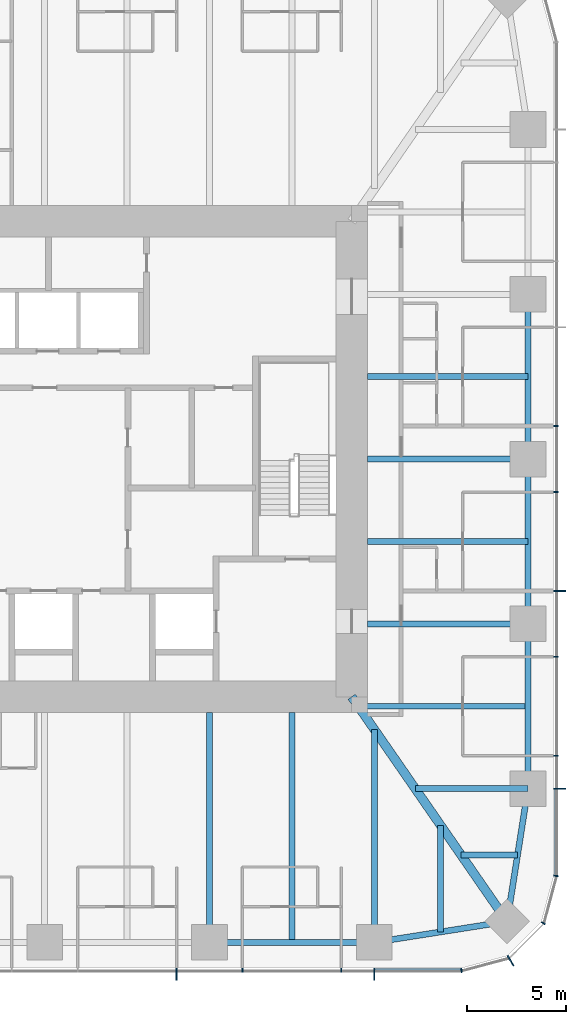
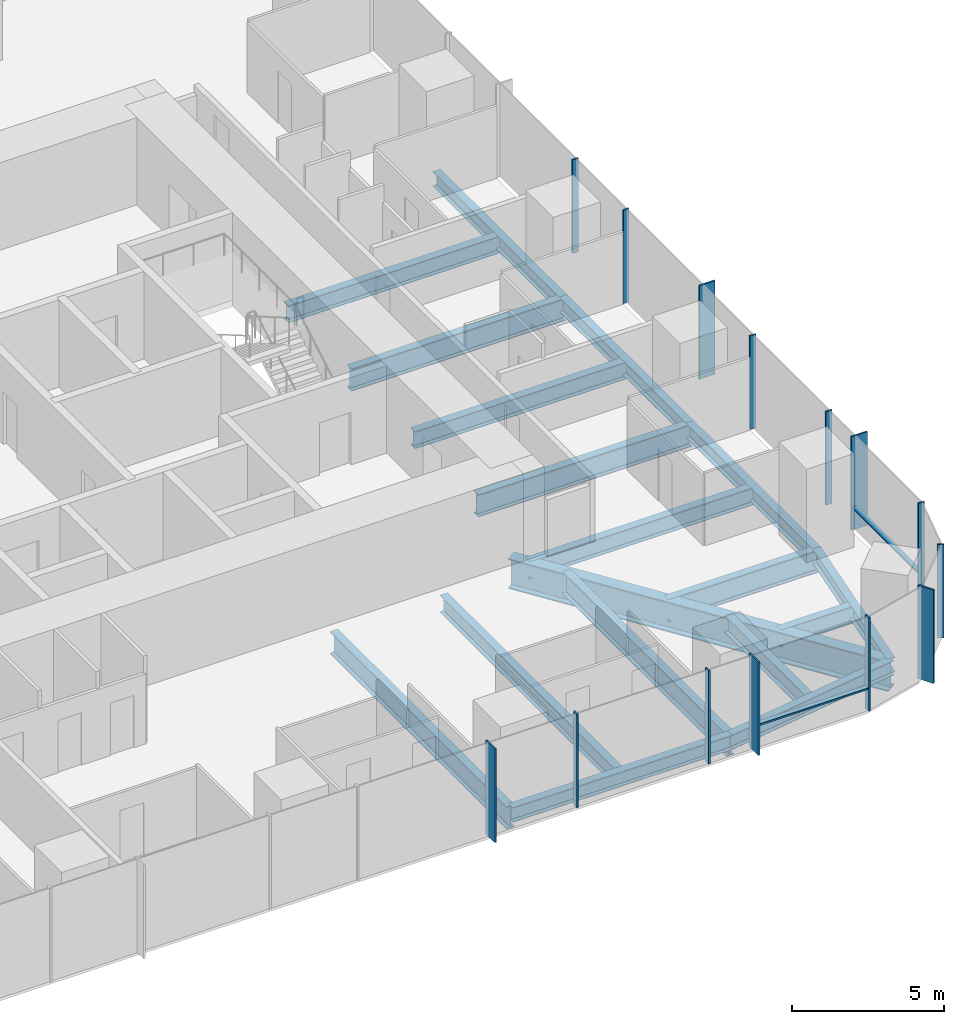
# One storey, part 4 of 13: 18 beams, 16 members, 3 elements without a shape of their own.
"""IFC4 building model written with IfcOpenShell, lengths in metres."""

from ifc_helpers import new_model, si_unit, direction, frame, origin, origin_2d, place, context, subcontext, project, spatial, rectangle, i_section, extrude, material, material_profile, profile_set, type_object, element, aggregate, save


model = new_model("IFC4")

# Units and contexts
model_context = context("Model", 3, precision=1e-05, world=origin(), true_north=direction((0.0, 1.0)))
body_context = subcontext(model_context, "Body", "Model", "MODEL_VIEW")
ifc_project = project(units=[si_unit("LENGTHUNIT", "METRE"), si_unit("AREAUNIT", "SQUARE_METRE"), si_unit("VOLUMEUNIT", "CUBIC_METRE"), si_unit("PLANEANGLEUNIT", "RADIAN"), si_unit("MASSUNIT", "GRAM", prefix="KILO")], contexts=[model_context])

# Site, building, storey
site_placement = place(None, origin())
site = spatial("IfcSite", under=ifc_project, at=site_placement, CompositionType="ELEMENT")
building_placement = place(site_placement, origin())
building = spatial("IfcBuilding", under=site, at=building_placement, Name="Khuree Lantern Residences", CompositionType="ELEMENT")
storey_placement = place(building_placement, frame((0.0, 0.0, 259.5)))
storey = spatial("IfcBuildingStorey", under=building, at=storey_placement, Name="L65", CompositionType="ELEMENT", Elevation=259.5)

# Beams
ifc_material_1 = material(Name="Steel S355", Category="steel")
ifc_material_profile_1 = material_profile(ifc_material_1, i_section(OverallWidth=0.300048828125, OverallDepth=0.68994140625, WebThickness=0.014404296875, FlangeThickness=0.027099609375, FilletRadius=0.027099609375, at=origin_2d()), Name="HE 700 A")
ifc_profile_set_1 = profile_set([ifc_material_profile_1], Name="Steel S355")
beam_type_1 = type_object("IfcBeamType", Name="B-34 SECONDARY BEAM HE 700 A", PredefinedType="BEAM", material=ifc_profile_set_1)
for number, where, z_axis, x_axis, name in (
    (1, (24.39990234375, 4.159912109375, -0.594970703125), (-1.0, 0.0, 0.0), (0.0, -1.0, 0.0), "Secondary beam E3"),
    (2, (24.39990234375, -4.159912109375, -0.594970703125), (-1.0, 0.0, 0.0), (0.0, -1.0, 0.0), "Secondary beam E4"),
):
    element("IfcBeam", number, at=place(storey_placement, frame(where, z_axis=z_axis, x_axis=x_axis)), inside=storey, type_object=beam_type_1, Name=name, PredefinedType="BEAM", context=body_context, shape_type="SweptSolid", body=[
        extrude(i_section(OverallWidth=0.300048828125, OverallDepth=0.68994140625, WebThickness=0.014404296875, FlangeThickness=0.027099609375, FilletRadius=0.027099609375, at=origin_2d()), origin(), (0.0, 0.0, 1.0), 8.099853515625),
    ])
beam_1_placement = place(storey_placement, frame((24.39990234375, -12.47998046875, -0.594970703125), z_axis=(-1.0, 0.0, 0.0), x_axis=(0.0, -1.0, 0.0)))
element("IfcBeam", 3, at=beam_1_placement, inside=storey, type_object=beam_type_1, Name="Secondary beam E5", PredefinedType="BEAM", context=body_context, shape_type="SweptSolid", body=[
    extrude(i_section(OverallWidth=0.300048828125, OverallDepth=0.68994140625, WebThickness=0.014404296875, FlangeThickness=0.027099609375, FilletRadius=0.027099609375, at=origin_2d()), origin(), (0.0, 0.0, 1.0), 8.56787109375),
])
beam_2_placement = place(storey_placement, frame((23.872802734375, -19.992919921875, -0.594970703125), z_axis=(-1.0, 0.0, 0.0), x_axis=(0.0, -1.0, 0.0)))
element("IfcBeam", 4, at=beam_2_placement, inside=storey, type_object=beam_type_1, Name="Secondary beam E6", PredefinedType="BEAM", context=body_context, shape_type="SweptSolid", body=[
    extrude(i_section(OverallWidth=0.300048828125, OverallDepth=0.68994140625, WebThickness=0.014404296875, FlangeThickness=0.027099609375, FilletRadius=0.027099609375, at=origin_2d()), origin(), (0.0, 0.0, 1.0), 2.845703125),
])
beam_3_placement = place(storey_placement, frame((19.992919921875, -23.872802734375, -0.594970703125), z_axis=(0.0, 1.0, 0.0), x_axis=(-1.0, 0.0, 0.0)))
element("IfcBeam", 5, at=beam_3_placement, inside=storey, type_object=beam_type_1, Name="Secondary beam S1", PredefinedType="BEAM", context=body_context, shape_type="SweptSolid", body=[
    extrude(i_section(OverallWidth=0.300048828125, OverallDepth=0.68994140625, WebThickness=0.014404296875, FlangeThickness=0.027099609375, FilletRadius=0.027099609375, at=origin_2d()), origin(), (0.0, 0.0, 1.0), 5.375732421875),
])
beam_4_placement = place(storey_placement, frame((12.47998046875, -24.39990234375, -0.594970703125), z_axis=(0.0, 1.0, 0.0), x_axis=(-1.0, 0.0, 0.0)))
element("IfcBeam", 6, at=beam_4_placement, inside=storey, type_object=beam_type_1, Name="Secondary beam S2", PredefinedType="BEAM", context=body_context, shape_type="SweptSolid", body=[
    extrude(i_section(OverallWidth=0.300048828125, OverallDepth=0.68994140625, WebThickness=0.014404296875, FlangeThickness=0.027099609375, FilletRadius=0.027099609375, at=origin_2d()), origin(), (0.0, 0.0, 1.0), 11.599853515625),
])
ifc_material_profile_2 = material_profile(ifc_material_1, i_section(OverallWidth=0.300048828125, OverallDepth=0.590087890625, WebThickness=0.012939453125, FlangeThickness=0.02490234375, FilletRadius=0.027099609375, at=origin_2d()), Name="HE 600 A")
ifc_profile_set_2 = profile_set([ifc_material_profile_2], Name="Steel S355")
beam_type_2 = type_object("IfcBeamType", Name="E-34 SPANDREL BEAM HE 600 A", PredefinedType="SPANDREL", material=ifc_profile_set_2)
for number, where, z_axis, x_axis, name in (
    (7, (24.39990234375, 8.320068359375, -0.544921875), (0.0, -1.0, 0.0), (1.0, 0.0, 0.0), "Spandrel beam E3"),
    (8, (24.39990234375, 0.0, -0.544921875), (0.0, -1.0, 0.0), (1.0, 0.0, 0.0), "Spandrel beam E4"),
):
    element("IfcBeam", number, at=place(storey_placement, frame(where, z_axis=z_axis, x_axis=x_axis)), inside=storey, type_object=beam_type_2, Name=name, PredefinedType="SPANDREL", context=body_context, shape_type="SweptSolid", body=[
        extrude(i_section(OverallWidth=0.300048828125, OverallDepth=0.590087890625, WebThickness=0.012939453125, FlangeThickness=0.02490234375, FilletRadius=0.027099609375, at=origin_2d()), origin(), (0.0, 0.0, 1.0), 8.320068359375),
    ])
beam_5_placement = place(storey_placement, frame((24.39990234375, -8.320068359375, -0.544921875), z_axis=(0.0, -1.0, 0.0), x_axis=(1.0, 0.0, 0.0)))
element("IfcBeam", 9, at=beam_5_placement, inside=storey, type_object=beam_type_2, Name="Spandrel beam E5", PredefinedType="SPANDREL", context=body_context, shape_type="SweptSolid", body=[
    extrude(i_section(OverallWidth=0.300048828125, OverallDepth=0.590087890625, WebThickness=0.012939453125, FlangeThickness=0.02490234375, FilletRadius=0.027099609375, at=origin_2d()), origin(), (0.0, 0.0, 1.0), 8.31982421875),
])
for number, where, z_axis, x_axis, name in (
    (10, (24.39990234375, -16.639892578125, -0.544921875), (-0.155299507442, -0.98786743189, 0.0), (0.98786743189, -0.155299507442, 0.0), "Spandrel beam E6"),
    (11, (23.345703125, -23.345703125, -0.544921875), (-0.98786743189, -0.155299507442, 0.0), (0.155299507442, -0.98786743189, 0.0), "Spandrel beam S1"),
):
    element("IfcBeam", number, at=place(storey_placement, frame(where, z_axis=z_axis, x_axis=x_axis)), inside=storey, type_object=beam_type_2, Name=name, PredefinedType="SPANDREL", context=body_context, shape_type="SweptSolid", body=[
        extrude(i_section(OverallWidth=0.300048828125, OverallDepth=0.590087890625, WebThickness=0.012939453125, FlangeThickness=0.02490234375, FilletRadius=0.027099609375, at=origin_2d()), origin(), (0.0, 0.0, 1.0), 6.7880859375),
    ])
beam_6_placement = place(storey_placement, frame((16.639892578125, -24.39990234375, -0.544921875), z_axis=(-1.0, 0.0, 0.0), x_axis=(0.0, -1.0, 0.0)))
element("IfcBeam", 12, at=beam_6_placement, inside=storey, type_object=beam_type_2, Name="Spandrel beam S2", PredefinedType="SPANDREL", context=body_context, shape_type="SweptSolid", body=[
    extrude(i_section(OverallWidth=0.300048828125, OverallDepth=0.590087890625, WebThickness=0.012939453125, FlangeThickness=0.02490234375, FilletRadius=0.027099609375, at=origin_2d()), origin(), (0.0, 0.0, 1.0), 8.31982421875),
])

# Curtain wall, member
ifc_material_2 = material(Name="Bronze anodised aluminium", Category="aluminium")
curtain_wall_type_1 = type_object("IfcCurtainWallType", Name="CW-T2 TOWER CORNER CURTAIN WALL", PredefinedType="USERDEFINED", material=ifc_material_2)
curtain_wall_1_placement = place(storey_placement, origin())
curtain_wall_1 = element("IfcCurtainWall", 13, at=curtain_wall_1_placement, inside=storey, type_object=curtain_wall_type_1, Name="L65 SOUTH-EAST CORNER CURTAIN WALL", ObjectType="Faceted corner curtain wall", PredefinedType="USERDEFINED")
ifc_material_profile_3 = material_profile(ifc_material_2, rectangle(XDim=0.06494140625, YDim=0.60009765625, at=origin_2d()), Name="F1 65X600")
ifc_profile_set_3 = profile_set([ifc_material_profile_3], Name="Bronze anodised aluminium")
member_type_1 = type_object("IfcMemberType", Name="F1 BRONZE FIN MULLION TOWER 65X600", PredefinedType="MULLION", material=ifc_profile_set_3)
member_1_placement = place(storey_placement, frame((23.52490234375, -25.3369140625, 0.0), z_axis=(0.0, 0.0, 1.0), x_axis=(0.866025409797, 0.499999989586, 0.0)))
member_1 = element("IfcMember", 14, at=member_1_placement, type_object=member_type_1, Name="L65 SOUTH-EAST CORNER FIN MULLION 2", PredefinedType="MULLION", context=body_context, shape_type="SweptSolid", body=[
    extrude(rectangle(XDim=0.06494140625, YDim=0.60009765625, at=origin_2d()), origin(), (0.0, 0.0, 1.0), 3.75),
])

# Curtain wall, members
curtain_wall_type_2 = type_object("IfcCurtainWallType", Name="CW-T1 TOWER FACE CURTAIN WALL", PredefinedType="USERDEFINED", material=ifc_material_2)
curtain_wall_2_placement = place(storey_placement, origin())
curtain_wall_2 = element("IfcCurtainWall", 15, at=curtain_wall_2_placement, inside=storey, type_object=curtain_wall_type_2, Name="L65 EAST FACE CURTAIN WALL", ObjectType="Stick-built curtain wall", PredefinedType="USERDEFINED")
member_2_placement = place(storey_placement, frame((26.0, -16.639892578125, 0.0), z_axis=(0.0, 0.0, 1.0), x_axis=(0.0, 1.0, 0.0)))
member_2 = element("IfcMember", 16, at=member_2_placement, type_object=member_type_1, Name="L65 EAST FACE FIN MULLION 5", PredefinedType="MULLION", context=body_context, shape_type="SweptSolid", body=[
    extrude(rectangle(XDim=0.06494140625, YDim=0.60009765625, at=origin_2d()), origin(), (0.0, 0.0, 1.0), 3.75),
])
member_3_placement = place(storey_placement, frame((26.0, -6.656005859375, 0.0), z_axis=(0.0, 0.0, 1.0), x_axis=(0.0, 1.0, 0.0)))
member_3 = element("IfcMember", 17, at=member_3_placement, type_object=member_type_1, Name="L65 EAST FACE FIN MULLION 8", PredefinedType="MULLION", context=body_context, shape_type="SweptSolid", body=[
    extrude(rectangle(XDim=0.06494140625, YDim=0.60009765625, at=origin_2d()), origin(), (0.0, 0.0, 1.0), 3.75),
])

curtain_wall_3_placement = place(storey_placement, origin())
curtain_wall_3 = element("IfcCurtainWall", 18, at=curtain_wall_3_placement, inside=storey, type_object=curtain_wall_type_2, Name="L65 SOUTH FACE CURTAIN WALL", ObjectType="Stick-built curtain wall", PredefinedType="USERDEFINED")
member_4_placement = place(storey_placement, frame((6.656005859375, -26.0, 0.0), z_axis=(0.0, 0.0, 1.0), x_axis=(1.0, 0.0, 0.0)))
member_4 = element("IfcMember", 19, at=member_4_placement, type_object=member_type_1, Name="L65 SOUTH FACE FIN MULLION 53", PredefinedType="MULLION", context=body_context, shape_type="SweptSolid", body=[
    extrude(rectangle(XDim=0.06494140625, YDim=0.60009765625, at=origin_2d()), origin(), (0.0, 0.0, 1.0), 3.75),
])
member_5_placement = place(storey_placement, frame((16.639892578125, -26.0, 0.0), z_axis=(0.0, 0.0, 1.0), x_axis=(1.0, 0.0, 0.0)))
member_5 = element("IfcMember", 20, at=member_5_placement, type_object=member_type_1, Name="L65 SOUTH FACE FIN MULLION 56", PredefinedType="MULLION", context=body_context, shape_type="SweptSolid", body=[
    extrude(rectangle(XDim=0.06494140625, YDim=0.60009765625, at=origin_2d()), origin(), (0.0, 0.0, 1.0), 3.75),
])

# Beams
ifc_material_profile_4 = material_profile(ifc_material_1, i_section(OverallWidth=0.300048828125, OverallDepth=0.89990234375, WebThickness=0.0185546875, FlangeThickness=0.034912109375, FilletRadius=0.030029296875, at=origin_2d()), Name="HE 900 B")
ifc_profile_set_4 = profile_set([ifc_material_profile_4], Name="Steel S355")
beam_type_3 = type_object("IfcBeamType", Name="G-34 GIRDER HE 900 B", PredefinedType="BEAM", material=ifc_profile_set_4)
for number, where, z_axis, x_axis, name in (
    (21, (24.39990234375, 0.0, -0.699951171875), (-1.0, 0.0, 0.0), (0.0, -1.0, 0.0), "Girder E3"),
    (22, (24.39990234375, -8.320068359375, -0.699951171875), (-1.0, 0.0, 0.0), (0.0, -1.0, 0.0), "Girder E4"),
):
    element("IfcBeam", number, at=place(storey_placement, frame(where, z_axis=z_axis, x_axis=x_axis)), inside=storey, type_object=beam_type_3, Name=name, PredefinedType="BEAM", context=body_context, shape_type="SweptSolid", body=[
        extrude(i_section(OverallWidth=0.300048828125, OverallDepth=0.89990234375, WebThickness=0.0185546875, FlangeThickness=0.034912109375, FilletRadius=0.030029296875, at=origin_2d()), origin(), (0.0, 0.0, 1.0), 8.099853515625),
    ])
beam_7_placement = place(storey_placement, frame((24.39990234375, -16.639892578125, -0.699951171875), z_axis=(-1.0, 0.0, 0.0), x_axis=(0.0, -1.0, 0.0)))
element("IfcBeam", 23, at=beam_7_placement, inside=storey, type_object=beam_type_3, Name="Girder E5", PredefinedType="BEAM", context=body_context, shape_type="SweptSolid", body=[
    extrude(i_section(OverallWidth=0.300048828125, OverallDepth=0.89990234375, WebThickness=0.0185546875, FlangeThickness=0.034912109375, FilletRadius=0.030029296875, at=origin_2d()), origin(), (0.0, 0.0, 1.0), 5.69140625),
])
beam_8_placement = place(storey_placement, frame((16.639892578125, -24.39990234375, -0.699951171875), z_axis=(0.0, 1.0, 0.0), x_axis=(-1.0, 0.0, 0.0)))
element("IfcBeam", 24, at=beam_8_placement, inside=storey, type_object=beam_type_3, Name="Girder S1", PredefinedType="BEAM", context=body_context, shape_type="SweptSolid", body=[
    extrude(i_section(OverallWidth=0.300048828125, OverallDepth=0.89990234375, WebThickness=0.0185546875, FlangeThickness=0.034912109375, FilletRadius=0.030029296875, at=origin_2d()), origin(), (0.0, 0.0, 1.0), 10.751220703125),
])
beam_9_placement = place(storey_placement, frame((8.320068359375, -24.39990234375, -0.699951171875), z_axis=(0.0, 1.0, 0.0), x_axis=(-1.0, 0.0, 0.0)))
element("IfcBeam", 25, at=beam_9_placement, inside=storey, type_object=beam_type_3, Name="Girder S2", PredefinedType="BEAM", context=body_context, shape_type="SweptSolid", body=[
    extrude(i_section(OverallWidth=0.300048828125, OverallDepth=0.89990234375, WebThickness=0.0185546875, FlangeThickness=0.034912109375, FilletRadius=0.030029296875, at=origin_2d()), origin(), (0.0, 0.0, 1.0), 11.599853515625),
])
ifc_material_profile_5 = material_profile(ifc_material_1, i_section(OverallWidth=0.449951171875, OverallDepth=1.199951171875, WebThickness=0.02490234375, FlangeThickness=0.044921875, at=origin_2d()), Name="WELDED I 1200X450X25X45")
ifc_profile_set_5 = profile_set([ifc_material_profile_5], Name="Steel S355")
beam_type_4 = type_object("IfcBeamType", Name="GD-34 CORNER GIRDER WELDED I 1200X450X25X45", PredefinedType="BEAM", material=ifc_profile_set_5)
beam_10_placement = place(storey_placement, frame((23.345703125, -23.345703125, -0.85009765625), z_axis=(-0.56876813501, 0.822497907959, 0.0), x_axis=(-0.822497907959, -0.56876813501, 0.0)))
element("IfcBeam", 26, at=beam_10_placement, inside=storey, type_object=beam_type_4, Name="Corner girder SE", PredefinedType="BEAM", context=body_context, shape_type="SweptSolid", body=[
    extrude(i_section(OverallWidth=0.449951171875, OverallDepth=1.199951171875, WebThickness=0.02490234375, FlangeThickness=0.044921875, at=origin_2d()), origin(), (0.0, 0.0, 1.0), 13.794189453125),
])

# Member
ifc_material_profile_6 = material_profile(ifc_material_2, rectangle(XDim=0.06494140625, YDim=0.219970703125, at=origin_2d()), Name="M1 65X220")
ifc_profile_set_6 = profile_set([ifc_material_profile_6], Name="Bronze anodised aluminium")
member_type_2 = type_object("IfcMemberType", Name="M1 BRONZE MULLION TOWER 65X220", PredefinedType="MULLION", material=ifc_profile_set_6)
member_6_placement = place(storey_placement, frame((21.044921875, -25.811767578125, 0.0), z_axis=(0.0, 0.0, 1.0), x_axis=(0.991444862943, 0.130526180298, 0.0)))
member_6 = element("IfcMember", 27, at=member_6_placement, type_object=member_type_2, Name="L65 SOUTH-EAST CORNER MULLION 1", PredefinedType="MULLION", context=body_context, shape_type="SweptSolid", body=[
    extrude(rectangle(XDim=0.06494140625, YDim=0.219970703125, at=origin_2d()), origin(), (0.0, 0.0, 1.0), 3.75),
])

member_7_placement = place(storey_placement, frame((25.17236328125, -23.429931640625, 0.0), z_axis=(0.0, 0.0, 1.0), x_axis=(0.499999989586, 0.866025409797, 0.0)))
member_7 = element("IfcMember", 28, at=member_7_placement, type_object=member_type_2, Name="L65 SOUTH-EAST CORNER MULLION 3", PredefinedType="MULLION", context=body_context, shape_type="SweptSolid", body=[
    extrude(rectangle(XDim=0.06494140625, YDim=0.219970703125, at=origin_2d()), origin(), (0.0, 0.0, 1.0), 3.75),
])

aggregate(curtain_wall_1, [member_6, member_1, member_7])

member_8_placement = place(storey_placement, frame((25.811767578125, -21.044921875, 0.0), z_axis=(0.0, 0.0, 1.0), x_axis=(0.130526180298, 0.991444862943, 0.0)))
member_8 = element("IfcMember", 29, at=member_8_placement, type_object=member_type_2, Name="L65 EAST FACE MULLION 4", PredefinedType="MULLION", context=body_context, shape_type="SweptSolid", body=[
    extrude(rectangle(XDim=0.06494140625, YDim=0.219970703125, at=origin_2d()), origin(), (0.0, 0.0, 1.0), 3.75),
])

member_9_placement = place(storey_placement, frame((25.81005859375, -14.97607421875, 0.0), z_axis=(0.0, 0.0, 1.0), x_axis=(0.0, 1.0, 0.0)))
member_9 = element("IfcMember", 30, at=member_9_placement, type_object=member_type_2, Name="L65 EAST FACE MULLION 6", PredefinedType="MULLION", context=body_context, shape_type="SweptSolid", body=[
    extrude(rectangle(XDim=0.06494140625, YDim=0.219970703125, at=origin_2d()), origin(), (0.0, 0.0, 1.0), 3.75),
])

member_10_placement = place(storey_placement, frame((25.81005859375, -9.98388671875, 0.0), z_axis=(0.0, 0.0, 1.0), x_axis=(0.0, 1.0, 0.0)))
member_10 = element("IfcMember", 31, at=member_10_placement, type_object=member_type_2, Name="L65 EAST FACE MULLION 7", PredefinedType="MULLION", context=body_context, shape_type="SweptSolid", body=[
    extrude(rectangle(XDim=0.06494140625, YDim=0.219970703125, at=origin_2d()), origin(), (0.0, 0.0, 1.0), 3.75),
])

member_11_placement = place(storey_placement, frame((25.81005859375, -1.6640625, 0.0), z_axis=(0.0, 0.0, 1.0), x_axis=(0.0, 1.0, 0.0)))
member_11 = element("IfcMember", 32, at=member_11_placement, type_object=member_type_2, Name="L65 EAST FACE MULLION 9", PredefinedType="MULLION", context=body_context, shape_type="SweptSolid", body=[
    extrude(rectangle(XDim=0.06494140625, YDim=0.219970703125, at=origin_2d()), origin(), (0.0, 0.0, 1.0), 3.75),
])

member_12_placement = place(storey_placement, frame((25.81005859375, 1.6640625, 0.0), z_axis=(0.0, 0.0, 1.0), x_axis=(0.0, 1.0, 0.0)))
member_12 = element("IfcMember", 33, at=member_12_placement, type_object=member_type_2, Name="L65 EAST FACE MULLION 10", PredefinedType="MULLION", context=body_context, shape_type="SweptSolid", body=[
    extrude(rectangle(XDim=0.06494140625, YDim=0.219970703125, at=origin_2d()), origin(), (0.0, 0.0, 1.0), 3.75),
])

member_13_placement = place(storey_placement, frame((9.98388671875, -25.81005859375, 0.0), z_axis=(0.0, 0.0, 1.0), x_axis=(1.0, 0.0, 0.0)))
member_13 = element("IfcMember", 34, at=member_13_placement, type_object=member_type_2, Name="L65 SOUTH FACE MULLION 54", PredefinedType="MULLION", context=body_context, shape_type="SweptSolid", body=[
    extrude(rectangle(XDim=0.06494140625, YDim=0.219970703125, at=origin_2d()), origin(), (0.0, 0.0, 1.0), 3.75),
])

member_14_placement = place(storey_placement, frame((14.97607421875, -25.81005859375, 0.0), z_axis=(0.0, 0.0, 1.0), x_axis=(1.0, 0.0, 0.0)))
member_14 = element("IfcMember", 35, at=member_14_placement, type_object=member_type_2, Name="L65 SOUTH FACE MULLION 55", PredefinedType="MULLION", context=body_context, shape_type="SweptSolid", body=[
    extrude(rectangle(XDim=0.06494140625, YDim=0.219970703125, at=origin_2d()), origin(), (0.0, 0.0, 1.0), 3.75),
])

ifc_material_profile_7 = material_profile(ifc_material_2, rectangle(XDim=0.179931640625, YDim=0.06494140625, at=origin_2d()), Name="T1 180X65")
ifc_profile_set_7 = profile_set([ifc_material_profile_7], Name="Bronze anodised aluminium")
member_type_3 = type_object("IfcMemberType", Name="TRANSOM T1 TOWER 180X65", PredefinedType="USERDEFINED", material=ifc_profile_set_7)
member_15_placement = place(storey_placement, frame((25.820068359375, -21.00146484375, 0.89990234375), z_axis=(0.0, 1.0, 0.0), x_axis=(-1.0, 0.0, 0.0)))
member_15 = element("IfcMember", 36, at=member_15_placement, type_object=member_type_3, Name="L65 EAST FACE TRANSOM 4.1", ObjectType="Transom", PredefinedType="USERDEFINED", context=body_context, shape_type="SweptSolid", body=[
    extrude(rectangle(XDim=0.179931640625, YDim=0.06494140625, at=origin_2d()), origin(), (0.0, 0.0, 1.0), 4.328857421875),
])

aggregate(curtain_wall_2, [member_8, member_2, member_9, member_10, member_3, member_11, member_12, member_15])

member_16_placement = place(storey_placement, frame((16.672607421875, -25.820068359375, 0.89990234375), z_axis=(1.0, 0.0, 0.0), x_axis=(0.0, 1.0, 0.0)))
member_16 = element("IfcMember", 37, at=member_16_placement, type_object=member_type_3, Name="L65 SOUTH FACE TRANSOM 56.1", ObjectType="Transom", PredefinedType="USERDEFINED", context=body_context, shape_type="SweptSolid", body=[
    extrude(rectangle(XDim=0.179931640625, YDim=0.06494140625, at=origin_2d()), origin(), (0.0, 0.0, 1.0), 4.328857421875),
])

aggregate(curtain_wall_3, [member_4, member_13, member_14, member_5, member_16])

save(model, "model.ifc")
